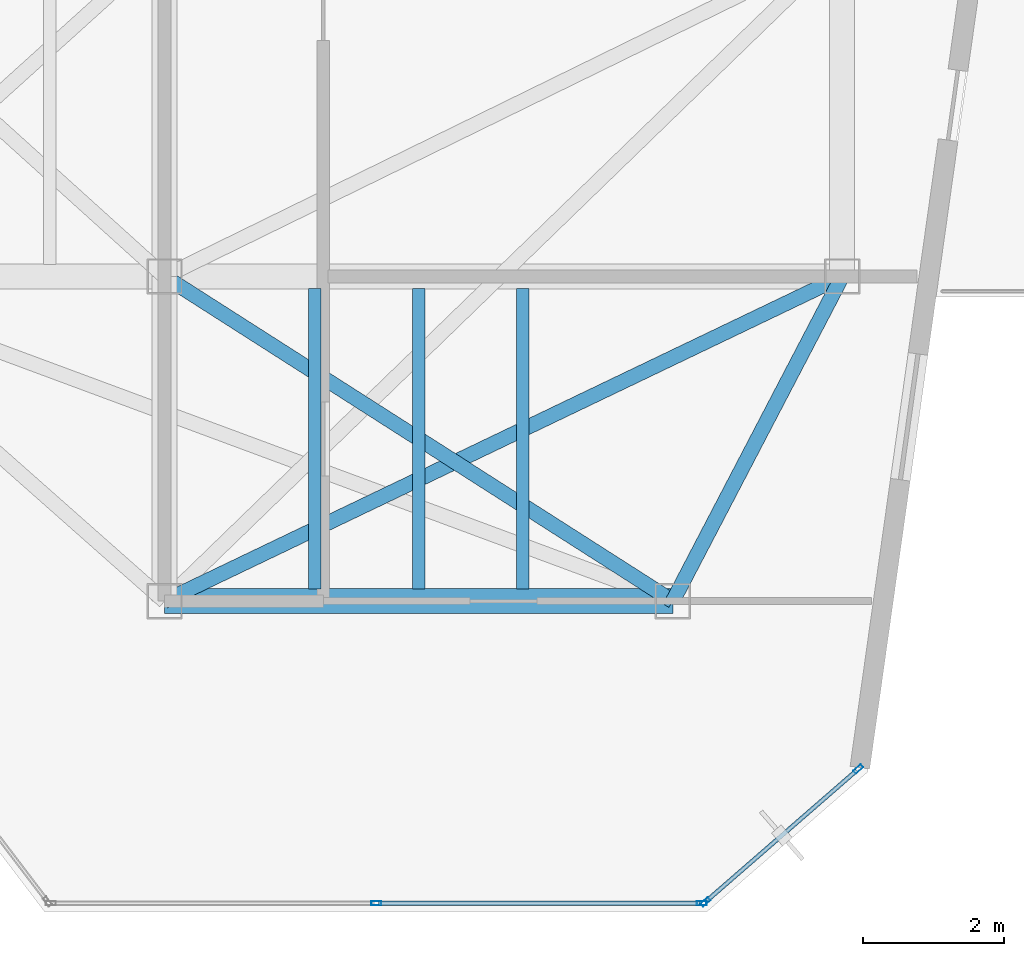
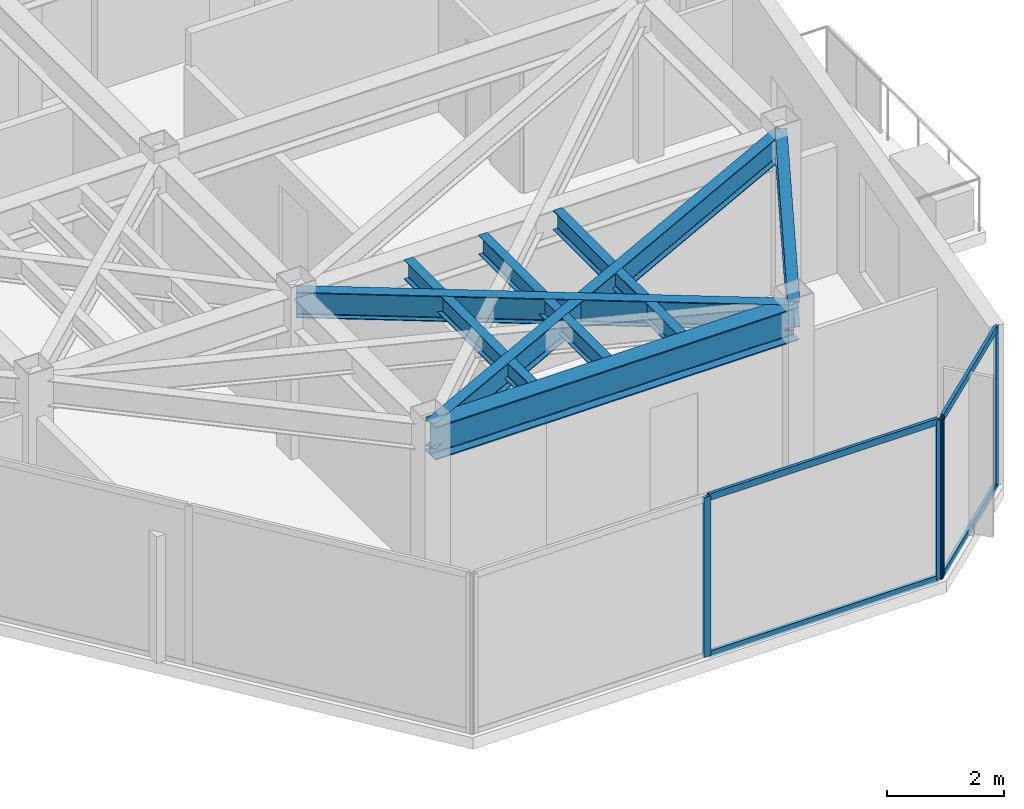
# One storey, part 14 of 19: 8 members, 7 beams, 2 elements without a shape of their own.
"""IFC4 building model written with IfcOpenShell, lengths in metres."""

from ifc_helpers import new_model, si_unit, direction, frame, origin, origin_2d, place, context, subcontext, project, spatial, hollow_rectangle, i_section, extrude, material, layer, layer_set, material_profile, profile_set, type_object, element, aggregate, save


model = new_model("IFC4")

# Units and contexts
model_context = context("Model", 3, precision=1e-05, world=origin(), true_north=direction((0.0, 1.0)))
body_context = subcontext(model_context, "Body", "Model", "MODEL_VIEW")
ifc_project = project(units=[si_unit("LENGTHUNIT", "METRE"), si_unit("AREAUNIT", "SQUARE_METRE"), si_unit("VOLUMEUNIT", "CUBIC_METRE"), si_unit("PLANEANGLEUNIT", "RADIAN"), si_unit("MASSUNIT", "GRAM", prefix="KILO")], contexts=[model_context])

# Site, building, storey
site_placement = place(None, origin())
site = spatial("IfcSite", under=ifc_project, at=site_placement, CompositionType="ELEMENT")
building_placement = place(site_placement, origin())
building = spatial("IfcBuilding", under=site, at=building_placement, Name="Kravanh Interchange Tower", CompositionType="ELEMENT")
storey_placement = place(building_placement, frame((0.0, 0.0, 259.800048828125)))
storey = spatial("IfcBuildingStorey", under=building, at=storey_placement, Name="L63", CompositionType="ELEMENT", Elevation=259.800048828125)

# Curtain wall, members
ifc_material_1 = material(Name="Anodised Bronze Aluminium", Category="aluminium")
ifc_layer = layer(ifc_material_1, 0.179931640625)
ifc_layer_set = layer_set([ifc_layer], Name="Unitised Curtain Wall System CW-HTL Luxury Hotel")
curtain_wall_type = type_object("IfcCurtainWallType", Name="Unitised Curtain Wall System CW-HTL Luxury Hotel", PredefinedType="NOTDEFINED", material=ifc_layer_set)
curtain_wall_1_placement = place(storey_placement, origin())
curtain_wall_1 = element("IfcCurtainWall", 1, at=curtain_wall_1_placement, inside=storey, type_object=curtain_wall_type, Name="L63 Unitised Curtain Wall CW-L63-02", PredefinedType="NOTDEFINED")
ifc_material_2 = material(Name="Anodised Bronze Aluminium", Category="aluminium")
ifc_material_profile_1 = material_profile(ifc_material_2, hollow_rectangle(XDim=0.06005859375, YDim=0.139892578125, WallThickness=0.00390625, at=origin_2d()), Name="ALU60X140X4")
ifc_profile_set_1 = profile_set([ifc_material_profile_1], Name="Anodised Bronze Aluminium")
member_type_1 = type_object("IfcMemberType", Name="Curtain Wall Mullion ALU60X140X4 Bronze", PredefinedType="MULLION", material=ifc_profile_set_1)
member_1_placement = place(storey_placement, frame((65.828369140625, 19.822021484375, 0.0), z_axis=(0.0, 0.0, 1.0), x_axis=(0.656050227106, -0.754717231494, 0.0)))
member_1 = element("IfcMember", 2, at=member_1_placement, type_object=member_type_1, Name="CW-HTL mullion 1", PredefinedType="MULLION", context=body_context, shape_type="SweptSolid", body=[
    extrude(hollow_rectangle(XDim=0.06005859375, YDim=0.139892578125, WallThickness=0.00390625, at=origin_2d()), origin(), (0.0, 0.0, 1.0), 3.349853515625),
])
member_2_placement = place(storey_placement, frame((63.6630859375, 17.939697265625, 0.0), z_axis=(0.0, 0.0, 1.0), x_axis=(0.656050227106, -0.754717231494, 0.0)))
member_2 = element("IfcMember", 3, at=member_2_placement, type_object=member_type_1, Name="CW-HTL mullion 2", PredefinedType="MULLION", context=body_context, shape_type="SweptSolid", body=[
    extrude(hollow_rectangle(XDim=0.06005859375, YDim=0.139892578125, WallThickness=0.00390625, at=origin_2d()), origin(), (0.0, 0.0, 1.0), 3.349853515625),
])

curtain_wall_2_placement = place(storey_placement, origin())
curtain_wall_2 = element("IfcCurtainWall", 4, at=curtain_wall_2_placement, inside=storey, type_object=curtain_wall_type, Name="L63 Unitised Curtain Wall CW-L63-03", PredefinedType="NOTDEFINED")
member_3_placement = place(storey_placement, frame((63.610595703125, 17.919921875, 0.0), z_axis=(0.0, 0.0, 1.0), x_axis=(0.0, -1.0, 0.0)))
member_3 = element("IfcMember", 5, at=member_3_placement, type_object=member_type_1, Name="CW-HTL mullion 1", PredefinedType="MULLION", context=body_context, shape_type="SweptSolid", body=[
    extrude(hollow_rectangle(XDim=0.06005859375, YDim=0.139892578125, WallThickness=0.00390625, at=origin_2d()), origin(), (0.0, 0.0, 1.0), 3.349853515625),
])
member_4_placement = place(storey_placement, frame((59.0, 17.919921875, 0.0), z_axis=(0.0, 0.0, 1.0), x_axis=(0.0, -1.0, 0.0)))
member_4 = element("IfcMember", 6, at=member_4_placement, type_object=member_type_1, Name="CW-HTL mullion 2", PredefinedType="MULLION", context=body_context, shape_type="SweptSolid", body=[
    extrude(hollow_rectangle(XDim=0.06005859375, YDim=0.139892578125, WallThickness=0.00390625, at=origin_2d()), origin(), (0.0, 0.0, 1.0), 3.349853515625),
])

# Member
ifc_material_3 = material(Name="Anodised Bronze Aluminium", Category="aluminium")
ifc_material_profile_2 = material_profile(ifc_material_3, hollow_rectangle(XDim=0.06005859375, YDim=0.139892578125, WallThickness=0.00390625, at=origin_2d()), Name="ALU60X140X4")
ifc_profile_set_2 = profile_set([ifc_material_profile_2], Name="Anodised Bronze Aluminium")
member_type_2 = type_object("IfcMemberType", Name="Curtain Wall Transom ALU60X140X4 Bronze", PredefinedType="USERDEFINED", material=ifc_profile_set_2)
member_5_placement = place(storey_placement, frame((65.805908203125, 19.80224609375, 0.030029296875), z_axis=(-0.754747707805, -0.656015165651, 0.0), x_axis=(0.656015165651, -0.754747707805, 0.0)))
member_5 = element("IfcMember", 7, at=member_5_placement, type_object=member_type_2, Name="CW-HTL transom 1.1", ObjectType="TRANSOM", PredefinedType="USERDEFINED", context=body_context, shape_type="SweptSolid", body=[
    extrude(hollow_rectangle(XDim=0.06005859375, YDim=0.139892578125, WallThickness=0.00390625, at=origin_2d()), origin(), (0.0, 0.0, 1.0), 2.80908203125),
])

member_6_placement = place(storey_placement, frame((65.805908203125, 19.80224609375, 3.320068359375), z_axis=(-0.754747707805, -0.656015165651, 0.0), x_axis=(0.656015165651, -0.754747707805, 0.0)))
member_6 = element("IfcMember", 8, at=member_6_placement, type_object=member_type_2, Name="CW-HTL transom 1.2", ObjectType="TRANSOM", PredefinedType="USERDEFINED", context=body_context, shape_type="SweptSolid", body=[
    extrude(hollow_rectangle(XDim=0.06005859375, YDim=0.139892578125, WallThickness=0.00390625, at=origin_2d()), origin(), (0.0, 0.0, 1.0), 2.80908203125),
])

aggregate(curtain_wall_1, [member_1, member_2, member_5, member_6])

member_7_placement = place(storey_placement, frame((63.58056640625, 17.919921875, 0.030029296875), z_axis=(-1.0, 0.0, 0.0), x_axis=(0.0, -1.0, 0.0)))
member_7 = element("IfcMember", 9, at=member_7_placement, type_object=member_type_2, Name="CW-HTL transom 1.1", ObjectType="TRANSOM", PredefinedType="USERDEFINED", context=body_context, shape_type="SweptSolid", body=[
    extrude(hollow_rectangle(XDim=0.06005859375, YDim=0.139892578125, WallThickness=0.00390625, at=origin_2d()), origin(), (0.0, 0.0, 1.0), 4.550537109375),
])

member_8_placement = place(storey_placement, frame((63.58056640625, 17.919921875, 3.320068359375), z_axis=(-1.0, 0.0, 0.0), x_axis=(0.0, -1.0, 0.0)))
member_8 = element("IfcMember", 10, at=member_8_placement, type_object=member_type_2, Name="CW-HTL transom 1.2", ObjectType="TRANSOM", PredefinedType="USERDEFINED", context=body_context, shape_type="SweptSolid", body=[
    extrude(hollow_rectangle(XDim=0.06005859375, YDim=0.139892578125, WallThickness=0.00390625, at=origin_2d()), origin(), (0.0, 0.0, 1.0), 4.550537109375),
])

aggregate(curtain_wall_2, [member_3, member_4, member_7, member_8])

# Beams
ifc_material_4 = material(Name="Structural Steel S355", Category="steel")
ifc_material_profile_3 = material_profile(ifc_material_4, i_section(OverallWidth=0.35498046875, OverallDepth=0.696044921875, WebThickness=0.015380859375, FlangeThickness=0.02490234375, FilletRadius=0.02392578125, at=origin_2d()), Name="W27X146")
ifc_profile_set_3 = profile_set([ifc_material_profile_3], Name="Structural Steel S355")
beam_type_1 = type_object("IfcBeamType", Name="Floor Beam W27X146 Structural Steel S355", PredefinedType="BEAM", material=ifc_profile_set_3)
beam_1_placement = place(storey_placement, frame((56.0, 22.199951171875, 3.001953125), z_axis=(1.0, 0.0, 0.0), x_axis=(0.0, 1.0, 0.0)))
element("IfcBeam", 11, at=beam_1_placement, inside=storey, type_object=beam_type_1, Name="L63 Primary Floor Girder 39", PredefinedType="BEAM", context=body_context, shape_type="SweptSolid", body=[
    extrude(i_section(OverallWidth=0.35498046875, OverallDepth=0.696044921875, WebThickness=0.015380859375, FlangeThickness=0.02490234375, FilletRadius=0.02392578125, at=origin_2d()), origin(), (0.0, 0.0, 1.0), 7.199951171875),
])
ifc_material_5 = material(Name="Structural Steel S355", Category="steel")
ifc_material_profile_4 = material_profile(ifc_material_5, i_section(OverallWidth=0.177978515625, OverallDepth=0.406005859375, WebThickness=0.0078125, FlangeThickness=0.0126953125, FilletRadius=0.01611328125, at=origin_2d()), Name="W16X40")
ifc_profile_set_4 = profile_set([ifc_material_profile_4], Name="Structural Steel S355")
beam_type_2 = type_object("IfcBeamType", Name="Floor Joist W16X40 Structural Steel S355", PredefinedType="JOIST", material=ifc_profile_set_4)
for number, where, z_axis, x_axis, name in (
    (12, (58.125, 22.37255859375, 3.14697265625), (0.0, 1.0, 0.0), (-1.0, 0.0, 0.0), "L63 Secondary Floor Joist 1"),
    (13, (59.60009765625, 22.37255859375, 3.14697265625), (0.0, 1.0, 0.0), (-1.0, 0.0, 0.0), "L63 Secondary Floor Joist 2"),
    (14, (61.074951171875, 22.37255859375, 3.14697265625), (0.0, 1.0, 0.0), (-1.0, 0.0, 0.0), "L63 Secondary Floor Joist 3"),
):
    element("IfcBeam", number, at=place(storey_placement, frame(where, z_axis=z_axis, x_axis=x_axis)), inside=storey, type_object=beam_type_2, Name=name, PredefinedType="JOIST", context=body_context, shape_type="SweptSolid", body=[
        extrude(i_section(OverallWidth=0.177978515625, OverallDepth=0.406005859375, WebThickness=0.0078125, FlangeThickness=0.0126953125, FilletRadius=0.01611328125, at=origin_2d()), origin(), (0.0, 0.0, 1.0), 4.2548828125),
    ])
ifc_material_6 = material(Name="Structural Steel S355", Category="steel")
ifc_material_profile_5 = material_profile(ifc_material_6, i_section(OverallWidth=0.2099609375, OverallDepth=0.537109375, WebThickness=0.010986328125, FlangeThickness=0.017333984375, FilletRadius=0.02001953125, at=origin_2d()), Name="W21X68")
ifc_profile_set_5 = profile_set([ifc_material_profile_5], Name="Structural Steel S355")
beam_type_3 = type_object("IfcBeamType", Name="Floor Spandrel W21X68 Structural Steel S355", PredefinedType="SPANDREL", material=ifc_profile_set_5)
beam_2_placement = place(storey_placement, frame((56.0, 26.800048828125, 3.08154296875), z_axis=(0.842689417531, -0.53839998661, 0.0), x_axis=(0.53839998661, 0.842689417531, 0.0)))
element("IfcBeam", 15, at=beam_2_placement, inside=storey, type_object=beam_type_3, Name="L63 Perimeter Spandrel 35", PredefinedType="SPANDREL", context=body_context, shape_type="SweptSolid", body=[
    extrude(i_section(OverallWidth=0.2099609375, OverallDepth=0.537109375, WebThickness=0.010986328125, FlangeThickness=0.017333984375, FilletRadius=0.02001953125, at=origin_2d()), origin(), (0.0, 0.0, 1.0), 8.5439453125),
])
beam_3_placement = place(storey_placement, frame((65.60009765625, 26.800048828125, 3.08154296875), z_axis=(-0.462580479178, -0.886577295155, 0.0), x_axis=(0.886577295155, -0.462580479178, 0.0)))
element("IfcBeam", 16, at=beam_3_placement, inside=storey, type_object=beam_type_3, Name="L63 Perimeter Spandrel 37", PredefinedType="SPANDREL", context=body_context, shape_type="SweptSolid", body=[
    extrude(i_section(OverallWidth=0.2099609375, OverallDepth=0.537109375, WebThickness=0.010986328125, FlangeThickness=0.017333984375, FilletRadius=0.02001953125, at=origin_2d()), origin(), (0.0, 0.0, 1.0), 5.188720703125),
])
beam_4_placement = place(storey_placement, frame((65.60009765625, 26.800048828125, 3.08154296875), z_axis=(-0.901814166789, -0.432124066188, 0.0), x_axis=(0.432124066188, -0.901814166789, 0.0)))
element("IfcBeam", 17, at=beam_4_placement, inside=storey, type_object=beam_type_3, Name="L63 Perimeter Spandrel 38", PredefinedType="SPANDREL", context=body_context, shape_type="SweptSolid", body=[
    extrude(i_section(OverallWidth=0.2099609375, OverallDepth=0.537109375, WebThickness=0.010986328125, FlangeThickness=0.017333984375, FilletRadius=0.02001953125, at=origin_2d()), origin(), (0.0, 0.0, 1.0), 10.645263671875),
])

save(model, "model.ifc")
